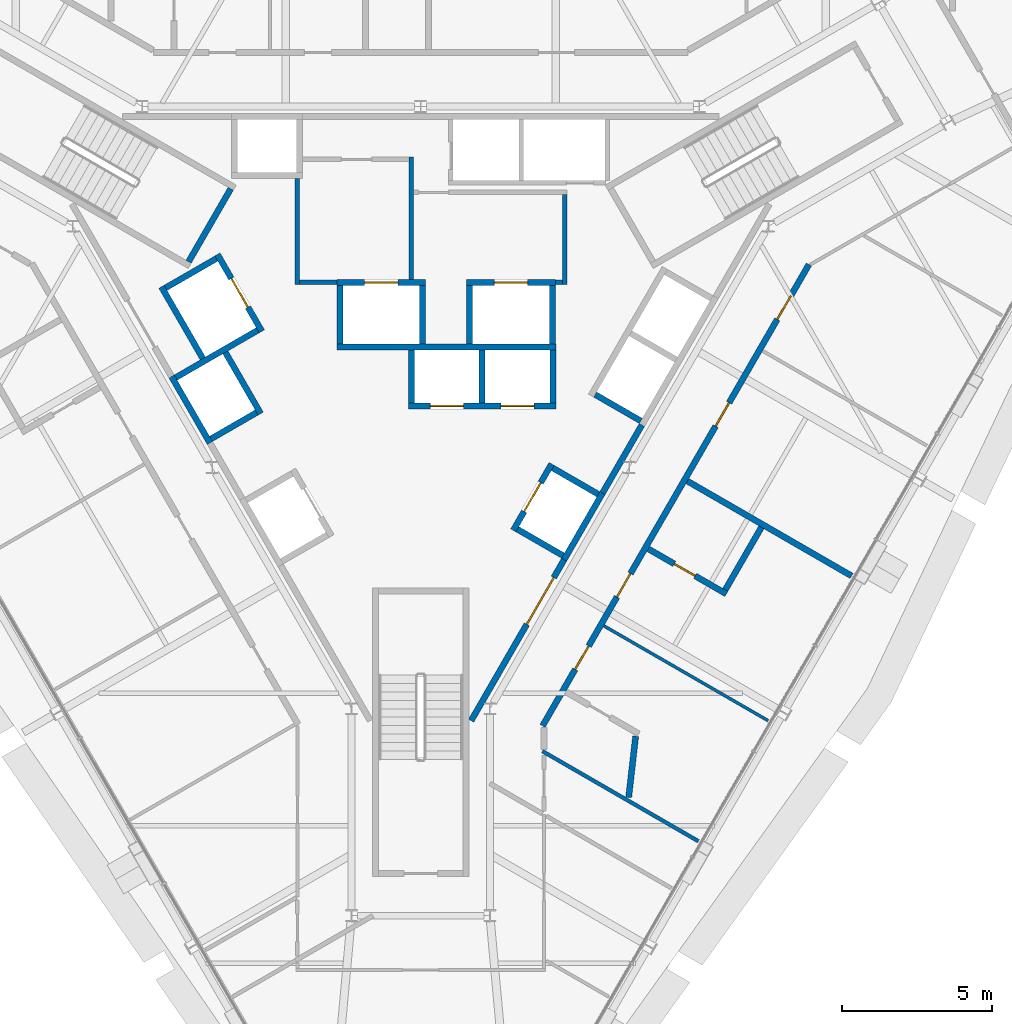
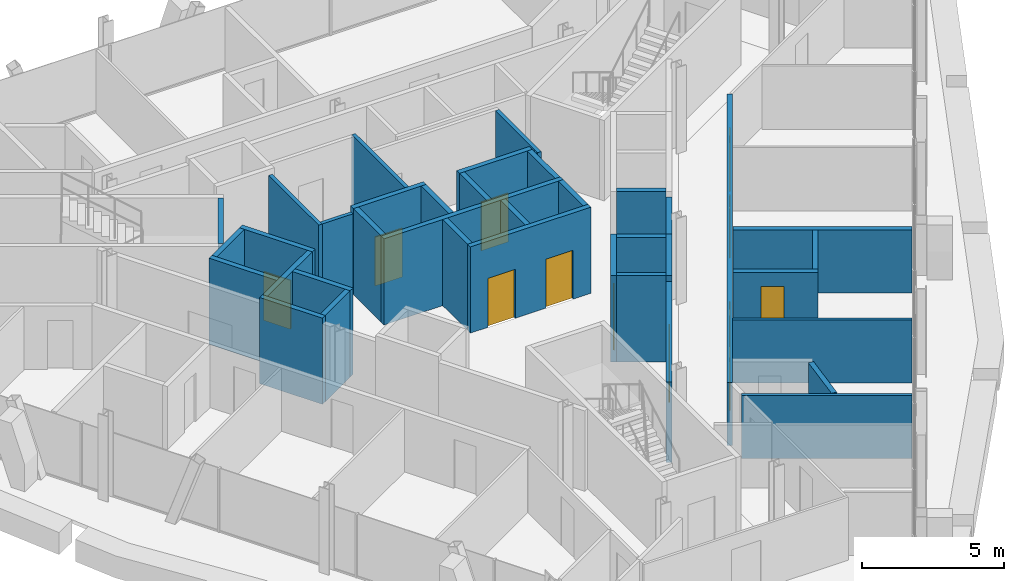
# One storey, part 12 of 16: 38 walls, 12 doors, 12 openings.
"""IFC4 building model written with IfcOpenShell, lengths in metres."""

from ifc_helpers import new_model, si_unit, direction, frame, frame_2d, origin, place, context, subcontext, project, spatial, rectangle, extrude, material, layer, layer_set, type_object, element, fill, save


model = new_model("IFC4")

# Units and contexts
model_context = context("Model", 3, precision=1e-05, world=origin(), true_north=direction((0.0, 1.0)))
body_context = subcontext(model_context, "Body", "Model", "MODEL_VIEW")
ifc_project = project(units=[si_unit("LENGTHUNIT", "METRE"), si_unit("AREAUNIT", "SQUARE_METRE"), si_unit("VOLUMEUNIT", "CUBIC_METRE"), si_unit("PLANEANGLEUNIT", "RADIAN"), si_unit("MASSUNIT", "GRAM", prefix="KILO")], contexts=[model_context])

# Site, building, storey
site_placement = place(None, origin())
site = spatial("IfcSite", under=ifc_project, at=site_placement, CompositionType="ELEMENT")
building_placement = place(site_placement, origin())
building = spatial("IfcBuilding", under=site, at=building_placement, Name="Verrane Prism Tower", CompositionType="ELEMENT")
storey_placement = place(building_placement, frame((0.0, 0.0, 239.699951171875)))
storey = spatial("IfcBuildingStorey", under=building, at=storey_placement, Name="L60", CompositionType="ELEMENT", Elevation=239.699951171875)

# Wall, opening, door
ifc_material_1 = material(Name="Gypsum board partition", Category="other")
ifc_layer_1 = layer(ifc_material_1, 0.199951171875)
ifc_layer_set_1 = layer_set([ifc_layer_1], Name="CW-200 core boundary wall 2 h")
wall_type_1 = type_object("IfcWallType", Name="CW-200 core boundary wall 2 h", PredefinedType="PARTITIONING", material=ifc_layer_set_1)
wall_1_placement = place(storey_placement, frame((1.677490234375, -12.414794921875, 0.0), z_axis=(0.0, 0.0, 1.0), x_axis=(0.500054337157, 0.865994029939, 0.0)))
wall_1 = element("IfcWall", 1, at=wall_1_placement, inside=storey, type_object=wall_type_1, Name="Core boundary wall CW3-006", PredefinedType="PARTITIONING", context=body_context, shape_type="SweptSolid", body=[
    extrude(rectangle(XDim=6.176513671875, YDim=0.199951171875, at=frame_2d((3.08837890625, 0.0))), origin(), (0.0, 0.0, 1.0), 3.449951171875),
])
opening_1_placement = place(wall_1_placement, frame((3.695068359375, 0.0, 0.0)))
opening_1 = element("IfcOpeningElement", 2, at=opening_1_placement, cuts=wall_1, Name="Opening D59515", PredefinedType="OPENING", context=body_context, shape_type="SweptSolid", body=[
    extrude(rectangle(XDim=1.800048828125, YDim=2.10009765625, at=frame_2d((0.89990234375, 1.050048828125))), frame((0.0, 0.10986328125, 0.0), z_axis=(0.0, -1.0, 0.0), x_axis=(1.0, 0.0, 0.0)), (0.0, 0.0, 1.0), 0.219970703125),
])
ifc_material_2 = material(Name="Timber veneered door leaf", Category="wood")
door_type_1 = type_object("IfcDoorType", Name="DR-1800x2100 FD60 double leaf lift lobby", OperationType="NOTDEFINED", PredefinedType="DOOR", material=ifc_material_2)
door_1_placement = place(opening_1_placement, origin())
door_1 = element("IfcDoor", 3, at=door_1_placement, inside=storey, type_object=door_type_1, Name="Lift lobby door D59515", OperationType="DOUBLE_DOOR_SINGLE_SWING", OverallHeight=2.10009765625, OverallWidth=1.800048828125, PredefinedType="DOOR", context=body_context, shape_type="SweptSolid", body=[
    extrude(rectangle(XDim=1.800048828125, YDim=2.10009765625, at=frame_2d((0.89990234375, 1.050048828125))), frame((0.0, 0.02490234375, 0.0), z_axis=(0.0, -1.0, 0.0), x_axis=(1.0, 0.0, 0.0)), (0.0, 0.0, 1.0), 0.050048828125),
])
fill(opening_1, door_1)

# Walls
wall_2_placement = place(storey_placement, frame((6.0419921875, -4.85498046875, 0.0), z_axis=(0.0, 0.0, 1.0), x_axis=(0.500252727967, 0.865879442048, 0.0)))
element("IfcWall", 4, at=wall_2_placement, inside=storey, type_object=wall_type_1, Name="Core boundary wall CW3-007", PredefinedType="PARTITIONING", context=body_context, shape_type="SweptSolid", body=[
    extrude(rectangle(XDim=2.616943359375, YDim=0.199951171875, at=frame_2d((1.30859375, 0.0))), origin(), (0.0, 0.0, 1.0), 3.449951171875),
])
ifc_material_3 = material(Name="Concrete C40/50", Category="concrete")
ifc_layer_2 = layer(ifc_material_3, 0.199951171875)
ifc_layer_set_2 = layer_set([ifc_layer_2], Name="CW-200 stair core wall concrete C40/50 3 h")
wall_type_2 = type_object("IfcWallType", Name="CW-200 stair core wall concrete C40/50 3 h", PredefinedType="PARTITIONING", material=ifc_layer_set_2)
wall_3_placement = place(storey_placement, frame((-6.314697265625, 5.262451171875, 0.0), z_axis=(0.0, 0.0, 1.0), x_axis=(-0.500049511043, -0.865996816683, 0.0)))
element("IfcWall", 5, at=wall_3_placement, inside=storey, type_object=wall_type_2, Name="Stair 2 enclosure wall", PredefinedType="PARTITIONING", context=body_context, shape_type="SweptSolid", body=[
    extrude(rectangle(XDim=2.800048828125, YDim=0.199951171875, at=frame_2d((1.39990234375, 0.0))), origin(), (0.0, 0.0, 1.0), 3.449951171875),
])

# Wall, openings, doors
ifc_material_4 = material(Name="Gypsum board shaft wall assembly", Category="other")
ifc_layer_3 = layer(ifc_material_4, 0.199951171875)
ifc_layer_set_3 = layer_set([ifc_layer_3], Name="HW-200 lift shaft wall 2 h")
wall_type_3 = type_object("IfcWallType", Name="HW-200 lift shaft wall 2 h", PredefinedType="PARTITIONING", material=ifc_layer_set_3)
wall_4_placement = place(storey_placement, frame((-0.405029296875, -1.949951171875, 0.0), z_axis=(0.0, 0.0, 1.0), x_axis=(1.0, 0.0, 0.0)))
wall_4 = element("IfcWall", 6, at=wall_4_placement, inside=storey, type_object=wall_type_3, Name="Lift shaft wall", PredefinedType="PARTITIONING", context=body_context, shape_type="SweptSolid", body=[
    extrude(rectangle(XDim=4.900146484375, YDim=0.199951171875, at=frame_2d((2.4501953125, 0.0))), origin(), (0.0, 0.0, 1.0), 3.699951171875),
])
opening_2_placement = place(wall_4_placement, frame((0.72509765625, 0.0, 0.0)))
opening_2 = element("IfcOpeningElement", 7, at=opening_2_placement, cuts=wall_4, Name="Opening D59503", PredefinedType="OPENING", context=body_context, shape_type="SweptSolid", body=[
    extrude(rectangle(XDim=1.10009765625, YDim=2.10009765625, at=frame_2d((0.550048828125, 1.050048828125))), frame((0.0, 0.10986328125, 0.0), z_axis=(0.0, -1.0, 0.0), x_axis=(1.0, 0.0, 0.0)), (0.0, 0.0, 1.0), 0.219970703125),
])
opening_3_placement = place(wall_4_placement, frame((3.074951171875, 0.0, 0.0)))
opening_3 = element("IfcOpeningElement", 8, at=opening_3_placement, cuts=wall_4, Name="Opening D59504", PredefinedType="OPENING", context=body_context, shape_type="SweptSolid", body=[
    extrude(rectangle(XDim=1.10009765625, YDim=2.10009765625, at=frame_2d((0.550048828125, 1.050048828125))), frame((0.0, 0.10986328125, 0.0), z_axis=(0.0, -1.0, 0.0), x_axis=(1.0, 0.0, 0.0)), (0.0, 0.0, 1.0), 0.219970703125),
])
ifc_material_5 = material(Name="Stainless steel sliding landing door", Category="steel")
door_type_2 = type_object("IfcDoorType", Name="LD-1100x2100 lift landing door FD90 sliding", OperationType="NOTDEFINED", PredefinedType="DOOR", material=ifc_material_5)
door_2_placement = place(opening_2_placement, origin())
door_2 = element("IfcDoor", 9, at=door_2_placement, inside=storey, type_object=door_type_2, Name="Bank B lift 1 landing door", OperationType="SLIDING_TO_LEFT", OverallHeight=2.10009765625, OverallWidth=1.10009765625, PredefinedType="DOOR", context=body_context, shape_type="SweptSolid", body=[
    extrude(rectangle(XDim=1.10009765625, YDim=2.10009765625, at=frame_2d((0.550048828125, 1.050048828125))), frame((0.0, 0.02490234375, 0.0), z_axis=(0.0, -1.0, 0.0), x_axis=(1.0, 0.0, 0.0)), (0.0, 0.0, 1.0), 0.050048828125),
])
fill(opening_2, door_2)
door_3_placement = place(opening_3_placement, origin())
door_3 = element("IfcDoor", 10, at=door_3_placement, inside=storey, type_object=door_type_2, Name="Bank B lift 2 landing door", OperationType="SLIDING_TO_RIGHT", OverallHeight=2.10009765625, OverallWidth=1.10009765625, PredefinedType="DOOR", context=body_context, shape_type="SweptSolid", body=[
    extrude(rectangle(XDim=1.10009765625, YDim=2.10009765625, at=frame_2d((0.550048828125, 1.050048828125))), frame((0.0, 0.02490234375, 0.0), z_axis=(0.0, -1.0, 0.0), x_axis=(1.0, 0.0, 0.0)), (0.0, 0.0, 1.0), 0.050048828125),
])
fill(opening_3, door_3)

# Wall
wall_5_placement = place(storey_placement, frame((-2.784912109375, 0.0, 0.0), z_axis=(0.0, 0.0, 1.0), x_axis=(1.0, 0.0, 0.0)))
element("IfcWall", 11, at=wall_5_placement, inside=storey, type_object=wall_type_3, Name="Lift shaft wall", PredefinedType="PARTITIONING", context=body_context, shape_type="SweptSolid", body=[
    extrude(rectangle(XDim=7.280029296875, YDim=0.199951171875, at=frame_2d((3.64013671875, 0.0))), origin(), (0.0, 0.0, 1.0), 3.699951171875),
])

# Wall, opening, door
wall_6_placement = place(storey_placement, frame((-2.784912109375, 2.14990234375, 0.0), z_axis=(0.0, 0.0, 1.0), x_axis=(1.0, 0.0, 0.0)))
wall_6 = element("IfcWall", 12, at=wall_6_placement, inside=storey, type_object=wall_type_3, Name="Lift shaft wall", PredefinedType="PARTITIONING", context=body_context, shape_type="SweptSolid", body=[
    extrude(rectangle(XDim=2.949951171875, YDim=0.199951171875, at=frame_2d((1.47509765625, 0.0))), origin(), (0.0, 0.0, 1.0), 3.699951171875),
])
opening_4_placement = place(wall_6_placement, frame((0.925048828125, 0.0, 0.0)))
opening_4 = element("IfcOpeningElement", 13, at=opening_4_placement, cuts=wall_6, Name="Opening D59507", PredefinedType="OPENING", context=body_context, shape_type="SweptSolid", body=[
    extrude(rectangle(XDim=1.10009765625, YDim=2.10009765625, at=frame_2d((0.550048828125, 1.050048828125))), frame((0.0, 0.10986328125, 0.0), z_axis=(0.0, -1.0, 0.0), x_axis=(1.0, 0.0, 0.0)), (0.0, 0.0, 1.0), 0.219970703125),
])
door_4_placement = place(opening_4_placement, origin())
door_4 = element("IfcDoor", 14, at=door_4_placement, inside=storey, type_object=door_type_2, Name="Fire service lift 1 landing door", OperationType="SLIDING_TO_LEFT", OverallHeight=2.10009765625, OverallWidth=1.10009765625, PredefinedType="DOOR", context=body_context, shape_type="SweptSolid", body=[
    extrude(rectangle(XDim=1.10009765625, YDim=2.10009765625, at=frame_2d((0.550048828125, 1.050048828125))), frame((0.0, 0.02490234375, 0.0), z_axis=(0.0, -1.0, 0.0), x_axis=(1.0, 0.0, 0.0)), (0.0, 0.0, 1.0), 0.050048828125),
])
fill(opening_4, door_4)

wall_7_placement = place(storey_placement, frame((1.52490234375, 2.14990234375, 0.0), z_axis=(0.0, 0.0, 1.0), x_axis=(1.0, 0.0, 0.0)))
wall_7 = element("IfcWall", 15, at=wall_7_placement, inside=storey, type_object=wall_type_3, Name="Lift shaft wall", PredefinedType="PARTITIONING", context=body_context, shape_type="SweptSolid", body=[
    extrude(rectangle(XDim=2.9501953125, YDim=0.199951171875, at=frame_2d((1.47509765625, 0.0))), origin(), (0.0, 0.0, 1.0), 3.699951171875),
])
opening_5_placement = place(wall_7_placement, frame((0.925048828125, 0.0, 0.0)))
opening_5 = element("IfcOpeningElement", 16, at=opening_5_placement, cuts=wall_7, Name="Opening D59508", PredefinedType="OPENING", context=body_context, shape_type="SweptSolid", body=[
    extrude(rectangle(XDim=1.10009765625, YDim=2.10009765625, at=frame_2d((0.550048828125, 1.050048828125))), frame((0.0, 0.10986328125, 0.0), z_axis=(0.0, -1.0, 0.0), x_axis=(1.0, 0.0, 0.0)), (0.0, 0.0, 1.0), 0.219970703125),
])
door_5_placement = place(opening_5_placement, origin())
door_5 = element("IfcDoor", 17, at=door_5_placement, inside=storey, type_object=door_type_2, Name="Fire service lift 2 landing door", OperationType="SLIDING_TO_RIGHT", OverallHeight=2.10009765625, OverallWidth=1.10009765625, PredefinedType="DOOR", context=body_context, shape_type="SweptSolid", body=[
    extrude(rectangle(XDim=1.10009765625, YDim=2.10009765625, at=frame_2d((0.550048828125, 1.050048828125))), frame((0.0, 0.02490234375, 0.0), z_axis=(0.0, -1.0, 0.0), x_axis=(1.0, 0.0, 0.0)), (0.0, 0.0, 1.0), 0.050048828125),
])
fill(opening_5, door_5)

# Walls
wall_8_placement = place(storey_placement, frame((-6.9697265625, -3.048095703125, 0.0), z_axis=(0.0, 0.0, 1.0), x_axis=(0.866036909293, 0.499980071345, 0.0)))
element("IfcWall", 18, at=wall_8_placement, inside=storey, type_object=wall_type_3, Name="Lift shaft wall", PredefinedType="PARTITIONING", context=body_context, shape_type="SweptSolid", body=[
    extrude(rectangle(XDim=1.75, YDim=0.199951171875, at=frame_2d((0.875, 0.0))), origin(), (0.0, 0.0, 1.0), 3.699951171875),
])
wall_9_placement = place(storey_placement, frame((-8.14453125, -1.012939453125, 0.0), z_axis=(0.0, 0.0, 1.0), x_axis=(0.866016494683, 0.500015430699, 0.0)))
element("IfcWall", 19, at=wall_9_placement, inside=storey, type_object=wall_type_3, Name="Lift shaft wall", PredefinedType="PARTITIONING", context=body_context, shape_type="SweptSolid", body=[
    extrude(rectangle(XDim=3.14990234375, YDim=0.199951171875, at=frame_2d((1.574951171875, 0.0))), origin(), (0.0, 0.0, 1.0), 3.699951171875),
])
wall_10_placement = place(storey_placement, frame((-8.48046875, 1.968505859375, 0.0), z_axis=(0.0, 0.0, 1.0), x_axis=(0.866000020948, 0.500043961785, 0.0)))
element("IfcWall", 20, at=wall_10_placement, inside=storey, type_object=wall_type_3, Name="Lift shaft wall", PredefinedType="PARTITIONING", context=body_context, shape_type="SweptSolid", body=[
    extrude(rectangle(XDim=1.949951171875, YDim=0.199951171875, at=frame_2d((0.97509765625, 0.0))), origin(), (0.0, 0.0, 1.0), 3.699951171875),
])
wall_11_placement = place(storey_placement, frame((4.766357421875, -7.064697265625, 0.0), z_axis=(0.0, 0.0, 1.0), x_axis=(0.499948979701, 0.866054858364, 0.0)))
element("IfcWall", 21, at=wall_11_placement, inside=storey, type_object=wall_type_3, Name="Lift shaft wall", PredefinedType="PARTITIONING", context=body_context, shape_type="SweptSolid", body=[
    extrude(rectangle(XDim=2.550048828125, YDim=0.199951171875, at=frame_2d((1.27490234375, 0.0))), origin(), (0.0, 0.0, 1.0), 3.699951171875),
])

# Wall, opening, door
wall_12_placement = place(storey_placement, frame((3.077392578125, -6.089599609375, 0.0), z_axis=(0.0, 0.0, 1.0), x_axis=(0.500062241894, 0.865989465428, 0.0)))
wall_12 = element("IfcWall", 22, at=wall_12_placement, inside=storey, type_object=wall_type_3, Name="Lift shaft wall", PredefinedType="PARTITIONING", context=body_context, shape_type="SweptSolid", body=[
    extrude(rectangle(XDim=2.550048828125, YDim=0.199951171875, at=frame_2d((1.27490234375, 0.0))), origin(), (0.0, 0.0, 1.0), 3.699951171875),
])
opening_6_placement = place(wall_12_placement, frame((0.72509765625, 0.0, 0.0)))
opening_6 = element("IfcOpeningElement", 23, at=opening_6_placement, cuts=wall_12, Name="Opening D59505", PredefinedType="OPENING", context=body_context, shape_type="SweptSolid", body=[
    extrude(rectangle(XDim=1.10009765625, YDim=2.10009765625, at=frame_2d((0.550048828125, 1.050048828125))), frame((0.0, 0.10986328125, 0.0), z_axis=(0.0, -1.0, 0.0), x_axis=(1.0, 0.0, 0.0)), (0.0, 0.0, 1.0), 0.219970703125),
])
door_6_placement = place(opening_6_placement, origin())
door_6 = element("IfcDoor", 24, at=door_6_placement, inside=storey, type_object=door_type_2, Name="Bank B lift 3 landing door", OperationType="SLIDING_TO_LEFT", OverallHeight=2.10009765625, OverallWidth=1.10009765625, PredefinedType="DOOR", context=body_context, shape_type="SweptSolid", body=[
    extrude(rectangle(XDim=1.10009765625, YDim=2.10009765625, at=frame_2d((0.550048828125, 1.050048828125))), frame((0.0, 0.02490234375, 0.0), z_axis=(0.0, -1.0, 0.0), x_axis=(1.0, 0.0, 0.0)), (0.0, 0.0, 1.0), 0.050048828125),
])
fill(opening_6, door_6)

# Walls
wall_13_placement = place(storey_placement, frame((4.39501953125, -1.85009765625, 0.0), z_axis=(0.0, 0.0, 1.0), x_axis=(0.0, 1.0, 0.0)))
element("IfcWall", 25, at=wall_13_placement, inside=storey, type_object=wall_type_3, Name="Lift shaft wall", PredefinedType="PARTITIONING", context=body_context, shape_type="SweptSolid", body=[
    extrude(rectangle(XDim=1.75, YDim=0.199951171875, at=frame_2d((0.875, 0.0))), origin(), (0.0, 0.0, 1.0), 3.699951171875),
])
wall_14_placement = place(storey_placement, frame((4.375, 0.10009765625, 0.0), z_axis=(0.0, 0.0, 1.0), x_axis=(0.0, 1.0, 0.0)))
element("IfcWall", 26, at=wall_14_placement, inside=storey, type_object=wall_type_3, Name="Lift shaft wall", PredefinedType="PARTITIONING", context=body_context, shape_type="SweptSolid", body=[
    extrude(rectangle(XDim=1.949951171875, YDim=0.199951171875, at=frame_2d((0.97509765625, 0.0))), origin(), (0.0, 0.0, 1.0), 3.699951171875),
])
wall_15_placement = place(storey_placement, frame((2.044921875, -1.85009765625, 0.0), z_axis=(0.0, 0.0, 1.0), x_axis=(0.0, 1.0, 0.0)))
element("IfcWall", 27, at=wall_15_placement, inside=storey, type_object=wall_type_3, Name="Lift shaft wall", PredefinedType="PARTITIONING", context=body_context, shape_type="SweptSolid", body=[
    extrude(rectangle(XDim=1.75, YDim=0.199951171875, at=frame_2d((0.875, 0.0))), origin(), (0.0, 0.0, 1.0), 3.699951171875),
])
for number, where, z_axis, x_axis, name in (
    (28, (1.625, 0.10009765625, 0.0), (0.0, 0.0, 1.0), (0.0, 1.0, 0.0), "Lift shaft wall"),
    (29, (0.06494140625, 0.10009765625, 0.0), (0.0, 0.0, 1.0), (0.0, 1.0, 0.0), "Lift shaft wall"),
):
    element("IfcWall", number, at=place(storey_placement, frame(where, z_axis=z_axis, x_axis=x_axis)), inside=storey, type_object=wall_type_3, Name=name, PredefinedType="PARTITIONING", context=body_context, shape_type="SweptSolid", body=[
        extrude(rectangle(XDim=1.949951171875, YDim=0.199951171875, at=frame_2d((0.97509765625, 0.0))), origin(), (0.0, 0.0, 1.0), 3.699951171875),
    ])
wall_16_placement = place(storey_placement, frame((-0.304931640625, -1.85009765625, 0.0), z_axis=(0.0, 0.0, 1.0), x_axis=(0.0, 1.0, 0.0)))
element("IfcWall", 30, at=wall_16_placement, inside=storey, type_object=wall_type_3, Name="Lift shaft wall", PredefinedType="PARTITIONING", context=body_context, shape_type="SweptSolid", body=[
    extrude(rectangle(XDim=1.75, YDim=0.199951171875, at=frame_2d((0.875, 0.0))), origin(), (0.0, 0.0, 1.0), 3.699951171875),
])
wall_17_placement = place(storey_placement, frame((-2.68505859375, 0.10009765625, 0.0), z_axis=(0.0, 0.0, 1.0), x_axis=(0.0, 1.0, 0.0)))
element("IfcWall", 31, at=wall_17_placement, inside=storey, type_object=wall_type_3, Name="Lift shaft wall", PredefinedType="PARTITIONING", context=body_context, shape_type="SweptSolid", body=[
    extrude(rectangle(XDim=1.949951171875, YDim=0.199951171875, at=frame_2d((0.97509765625, 0.0))), origin(), (0.0, 0.0, 1.0), 3.699951171875),
])

# Wall, opening, door
wall_18_placement = place(storey_placement, frame((-5.280029296875, 0.525390625, 0.0), z_axis=(0.0, 0.0, 1.0), x_axis=(-0.500037662692, 0.866003658127, 0.0)))
wall_18 = element("IfcWall", 32, at=wall_18_placement, inside=storey, type_object=wall_type_3, Name="Lift shaft wall", PredefinedType="PARTITIONING", context=body_context, shape_type="SweptSolid", body=[
    extrude(rectangle(XDim=2.949951171875, YDim=0.199951171875, at=frame_2d((1.47509765625, 0.0))), origin(), (0.0, 0.0, 1.0), 3.699951171875),
])
opening_7_placement = place(wall_18_placement, frame((0.925048828125, 0.0, 0.0)))
opening_7 = element("IfcOpeningElement", 33, at=opening_7_placement, cuts=wall_18, Name="Opening D59509", PredefinedType="OPENING", context=body_context, shape_type="SweptSolid", body=[
    extrude(rectangle(XDim=1.10009765625, YDim=2.10009765625, at=frame_2d((0.550048828125, 1.050048828125))), frame((0.0, 0.10986328125, 0.0), z_axis=(0.0, -1.0, 0.0), x_axis=(1.0, 0.0, 0.0)), (0.0, 0.0, 1.0), 0.219970703125),
])
door_7_placement = place(opening_7_placement, origin())
door_7 = element("IfcDoor", 34, at=door_7_placement, inside=storey, type_object=door_type_2, Name="Service lift 1 landing door", OperationType="SLIDING_TO_LEFT", OverallHeight=2.10009765625, OverallWidth=1.10009765625, PredefinedType="DOOR", context=body_context, shape_type="SweptSolid", body=[
    extrude(rectangle(XDim=1.10009765625, YDim=2.10009765625, at=frame_2d((0.550048828125, 1.050048828125))), frame((0.0, 0.02490234375, 0.0), z_axis=(0.0, -1.0, 0.0), x_axis=(1.0, 0.0, 0.0)), (0.0, 0.0, 1.0), 0.050048828125),
])
fill(opening_7, door_7)

# Walls
wall_19_placement = place(storey_placement, frame((-5.317626953125, -2.209716796875, 0.0), z_axis=(0.0, 0.0, 1.0), x_axis=(-0.499938297808, 0.866061024631, 0.0)))
element("IfcWall", 35, at=wall_19_placement, inside=storey, type_object=wall_type_3, Name="Lift shaft wall", PredefinedType="PARTITIONING", context=body_context, shape_type="SweptSolid", body=[
    extrude(rectangle(XDim=2.349853515625, YDim=0.199951171875, at=frame_2d((1.1748046875, 0.0))), origin(), (0.0, 0.0, 1.0), 3.699951171875),
])
wall_20_placement = place(storey_placement, frame((-7.241943359375, -0.37646484375, 0.0), z_axis=(0.0, 0.0, 1.0), x_axis=(-0.499996545922, 0.866027397988, 0.0)))
element("IfcWall", 36, at=wall_20_placement, inside=storey, type_object=wall_type_3, Name="Lift shaft wall", PredefinedType="PARTITIONING", context=body_context, shape_type="SweptSolid", body=[
    extrude(rectangle(XDim=2.75, YDim=0.199951171875, at=frame_2d((1.375, 0.0))), origin(), (0.0, 0.0, 1.0), 3.699951171875),
])
wall_21_placement = place(storey_placement, frame((-7.00634765625, -3.184814453125, 0.0), z_axis=(0.0, 0.0, 1.0), x_axis=(-0.499990435942, 0.866030925526, 0.0)))
element("IfcWall", 37, at=wall_21_placement, inside=storey, type_object=wall_type_3, Name="Lift shaft wall", PredefinedType="PARTITIONING", context=body_context, shape_type="SweptSolid", body=[
    extrude(rectangle(XDim=2.5498046875, YDim=0.199951171875, at=frame_2d((1.27490234375, 0.0))), origin(), (0.0, 0.0, 1.0), 3.699951171875),
])
wall_22_placement = place(storey_placement, frame((7.314697265625, -2.45068359375, 0.0), z_axis=(0.0, 0.0, 1.0), x_axis=(-0.866036909293, 0.499980071345, 0.0)))
element("IfcWall", 38, at=wall_22_placement, inside=storey, type_object=wall_type_3, Name="Lift shaft wall", PredefinedType="PARTITIONING", context=body_context, shape_type="SweptSolid", body=[
    extrude(rectangle(XDim=1.75, YDim=0.199951171875, at=frame_2d((0.875, 0.0))), origin(), (0.0, 0.0, 1.0), 3.699951171875),
])
wall_23_placement = place(storey_placement, frame((5.904541015625, -4.892822265625, 0.0), z_axis=(0.0, 0.0, 1.0), x_axis=(-0.866002029911, 0.500040482552, 0.0)))
element("IfcWall", 39, at=wall_23_placement, inside=storey, type_object=wall_type_3, Name="Lift shaft wall", PredefinedType="PARTITIONING", context=body_context, shape_type="SweptSolid", body=[
    extrude(rectangle(XDim=1.749755859375, YDim=0.199951171875, at=frame_2d((0.875, 0.0))), origin(), (0.0, 0.0, 1.0), 3.699951171875),
])
wall_24_placement = place(storey_placement, frame((4.729736328125, -6.927978515625, 0.0), z_axis=(0.0, 0.0, 1.0), x_axis=(-0.866036909293, 0.499980071345, 0.0)))
element("IfcWall", 40, at=wall_24_placement, inside=storey, type_object=wall_type_3, Name="Lift shaft wall", PredefinedType="PARTITIONING", context=body_context, shape_type="SweptSolid", body=[
    extrude(rectangle(XDim=1.75, YDim=0.199951171875, at=frame_2d((0.875, 0.0))), origin(), (0.0, 0.0, 1.0), 3.699951171875),
])
ifc_material_6 = material(Name="Gypsum board partition", Category="other")
ifc_layer_4 = layer(ifc_material_6, 0.14990234375)
ifc_layer_set_4 = layer_set([ifc_layer_4], Name="LF-150 firefighting lobby wall 1 h")
wall_type_4 = type_object("IfcWallType", Name="LF-150 firefighting lobby wall 1 h", PredefinedType="PARTITIONING", material=ifc_layer_set_4)
wall_25_placement = place(storey_placement, frame((-4.10009765625, 2.0849609375, 0.0), z_axis=(0.0, 0.0, 1.0), x_axis=(0.0, 1.0, 0.0)))
element("IfcWall", 41, at=wall_25_placement, inside=storey, type_object=wall_type_4, Name="Firefighting lobby wall LF1-001", PredefinedType="PARTITIONING", context=body_context, shape_type="SweptSolid", body=[
    extrude(rectangle(XDim=3.52294921875, YDim=0.14990234375, at=frame_2d((1.761474609375, 0.0))), origin(), (0.0, 0.0, 1.0), 3.449951171875),
])
wall_26_placement = place(storey_placement, frame((-4.02490234375, 2.159912109375, 0.0), z_axis=(0.0, 0.0, 1.0), x_axis=(1.0, 0.0, 0.0)))
element("IfcWall", 42, at=wall_26_placement, inside=storey, type_object=wall_type_4, Name="Firefighting lobby wall LF1-002", PredefinedType="PARTITIONING", context=body_context, shape_type="SweptSolid", body=[
    extrude(rectangle(XDim=1.23779296875, YDim=0.14990234375, at=frame_2d((0.618896484375, 0.0))), origin(), (0.0, 0.0, 1.0), 3.449951171875),
])
wall_27_placement = place(storey_placement, frame((-0.320068359375, 2.251953125, 0.0), z_axis=(0.0, 0.0, 1.0), x_axis=(0.0, 1.0, 0.0)))
element("IfcWall", 43, at=wall_27_placement, inside=storey, type_object=wall_type_4, Name="Firefighting lobby wall LF1-004", PredefinedType="PARTITIONING", context=body_context, shape_type="SweptSolid", body=[
    extrude(rectangle(XDim=4.06298828125, YDim=0.14990234375, at=frame_2d((2.031494140625, 0.0))), origin(), (0.0, 0.0, 1.0), 3.449951171875),
])
wall_28_placement = place(storey_placement, frame((4.47705078125, 2.159912109375, 0.0), z_axis=(0.0, 0.0, 1.0), x_axis=(1.0, 0.0, 0.0)))
element("IfcWall", 44, at=wall_28_placement, inside=storey, type_object=wall_type_4, Name="Firefighting lobby wall LF1-006", PredefinedType="PARTITIONING", context=body_context, shape_type="SweptSolid", body=[
    extrude(rectangle(XDim=0.238037109375, YDim=0.14990234375, at=frame_2d((0.119140625, 0.0))), origin(), (0.0, 0.0, 1.0), 3.449951171875),
])
wall_29_placement = place(storey_placement, frame((4.7900390625, 2.0849609375, 0.0), z_axis=(0.0, 0.0, 1.0), x_axis=(0.0, 1.0, 0.0)))
element("IfcWall", 45, at=wall_29_placement, inside=storey, type_object=wall_type_4, Name="Firefighting lobby wall LF1-007", PredefinedType="PARTITIONING", context=body_context, shape_type="SweptSolid", body=[
    extrude(rectangle(XDim=2.97998046875, YDim=0.14990234375, at=frame_2d((1.489990234375, 0.0))), origin(), (0.0, 0.0, 1.0), 3.449951171875),
])
ifc_material_7 = material(Name="Gypsum board partition", Category="other")
ifc_layer_5 = layer(ifc_material_7, 0.10009765625)
ifc_layer_set_5 = layer_set([ifc_layer_5], Name="PW-100 room partition")
wall_type_5 = type_object("IfcWallType", Name="PW-100 room partition", PredefinedType="PARTITIONING", material=ifc_layer_set_5)
wall_30_placement = place(storey_placement, frame((6.085693359375, -9.262939453125, 0.0), z_axis=(0.0, 0.0, 1.0), x_axis=(0.866070792983, -0.499921375361, 0.0)))
element("IfcWall", 46, at=wall_30_placement, inside=storey, type_object=wall_type_5, Name="Room partition 042", PredefinedType="PARTITIONING", context=body_context, shape_type="SweptSolid", body=[
    extrude(rectangle(XDim=6.3037109375, YDim=0.10009765625, at=frame_2d((3.15185546875, 0.0))), origin(), (0.0, 0.0, 1.0), 2.713134765625),
])
ifc_material_8 = material(Name="Gypsum board partition", Category="other")
ifc_layer_6 = layer(ifc_material_8, 0.125)
ifc_layer_set_6 = layer_set([ifc_layer_6], Name="PW-125 corridor wall 1 h")
wall_type_6 = type_object("IfcWallType", Name="PW-125 corridor wall 1 h", PredefinedType="PARTITIONING", material=ifc_layer_set_6)
wall_31_placement = place(storey_placement, frame((4.0458984375, -13.4296875, 0.0), z_axis=(0.0, 0.0, 1.0), x_axis=(0.866028717572, -0.499994260308, 0.0)))
element("IfcWall", 47, at=wall_31_placement, inside=storey, type_object=wall_type_6, Name="Corridor wall 039", PredefinedType="PARTITIONING", context=body_context, shape_type="SweptSolid", body=[
    extrude(rectangle(XDim=5.98681640625, YDim=0.125, at=frame_2d((2.993408203125, 0.0))), origin(), (0.0, 0.0, 1.0), 2.713134765625),
])

# Wall, openings, doors
ifc_material_9 = material(Name="Gypsum board partition", Category="other")
ifc_layer_7 = layer(ifc_material_9, 0.199951171875)
ifc_layer_set_7 = layer_set([ifc_layer_7], Name="PW-200 plumbing wall")
wall_type_7 = type_object("IfcWallType", Name="PW-200 plumbing wall", PredefinedType="PARTITIONING", material=ifc_layer_set_7)
wall_32_placement = place(storey_placement, frame((12.903076171875, 2.745361328125, 0.0), z_axis=(0.0, 0.0, 1.0), x_axis=(-0.499997769292, -0.86602669168, 0.0)))
wall_32 = element("IfcWall", 48, at=wall_32_placement, inside=storey, type_object=wall_type_7, Name="Plumbing wall 040", PredefinedType="PARTITIONING", context=body_context, shape_type="SweptSolid", body=[
    extrude(rectangle(XDim=17.7060546875, YDim=0.199951171875, at=frame_2d((8.85302734375, 0.0))), origin(), (0.0, 0.0, 1.0), 2.713134765625),
])
opening_8_placement = place(wall_32_placement, frame((14.636962890625, 0.0, 0.0)))
opening_8 = element("IfcOpeningElement", 49, at=opening_8_placement, cuts=wall_32, Name="Opening D59022", PredefinedType="OPENING", context=body_context, shape_type="SweptSolid", body=[
    extrude(rectangle(XDim=0.89990234375, YDim=2.10009765625, at=frame_2d((0.449951171875, 1.050048828125))), frame((0.0, 0.10986328125, 0.0), z_axis=(0.0, -1.0, 0.0), x_axis=(1.0, 0.0, 0.0)), (0.0, 0.0, 1.0), 0.219970703125),
])
opening_9_placement = place(wall_32_placement, frame((11.858154296875, 0.0, 0.0)))
opening_9 = element("IfcOpeningElement", 50, at=opening_9_placement, cuts=wall_32, Name="Opening D59024", PredefinedType="OPENING", context=body_context, shape_type="SweptSolid", body=[
    extrude(rectangle(XDim=0.89990234375, YDim=2.10009765625, at=frame_2d((0.449951171875, 1.050048828125))), frame((0.0, 0.10986328125, 0.0), z_axis=(0.0, -1.0, 0.0), x_axis=(1.0, 0.0, 0.0)), (0.0, 0.0, 1.0), 0.219970703125),
])
opening_10_placement = place(wall_32_placement, frame((5.302978515625, 0.0, 0.0)))
opening_10 = element("IfcOpeningElement", 51, at=opening_10_placement, cuts=wall_32, Name="Opening D59026", PredefinedType="OPENING", context=body_context, shape_type="SweptSolid", body=[
    extrude(rectangle(XDim=0.89990234375, YDim=2.10009765625, at=frame_2d((0.449951171875, 1.050048828125))), frame((0.0, 0.10986328125, 0.0), z_axis=(0.0, -1.0, 0.0), x_axis=(1.0, 0.0, 0.0)), (0.0, 0.0, 1.0), 0.219970703125),
])
opening_11_placement = place(wall_32_placement, frame((1.2041015625, 0.0, 0.0)))
opening_11 = element("IfcOpeningElement", 52, at=opening_11_placement, cuts=wall_32, Name="Opening D59027", PredefinedType="OPENING", context=body_context, shape_type="SweptSolid", body=[
    extrude(rectangle(XDim=0.89990234375, YDim=2.10009765625, at=frame_2d((0.449951171875, 1.050048828125))), frame((0.0, 0.10986328125, 0.0), z_axis=(0.0, -1.0, 0.0), x_axis=(1.0, 0.0, 0.0)), (0.0, 0.0, 1.0), 0.219970703125),
])
ifc_material_10 = material(Name="Timber veneered door leaf", Category="wood")
door_type_3 = type_object("IfcDoorType", Name="DR-900x2100 single leaf inner", OperationType="NOTDEFINED", PredefinedType="DOOR", material=ifc_material_10)
door_8_placement = place(opening_8_placement, origin())
door_8 = element("IfcDoor", 53, at=door_8_placement, inside=storey, type_object=door_type_3, Name="Bedroom door", OperationType="SINGLE_SWING_LEFT", OverallHeight=2.10009765625, OverallWidth=0.89990234375, PredefinedType="DOOR", context=body_context, shape_type="SweptSolid", body=[
    extrude(rectangle(XDim=0.89990234375, YDim=2.10009765625, at=frame_2d((0.449951171875, 1.050048828125))), frame((0.0, 0.02490234375, 0.0), z_axis=(0.0, -1.0, 0.0), x_axis=(1.0, 0.0, 0.0)), (0.0, 0.0, 1.0), 0.050048828125),
])
fill(opening_8, door_8)
door_9_placement = place(opening_9_placement, origin())
door_9 = element("IfcDoor", 54, at=door_9_placement, inside=storey, type_object=door_type_3, Name="Master Bedroom door", OperationType="SINGLE_SWING_LEFT", OverallHeight=2.10009765625, OverallWidth=0.89990234375, PredefinedType="DOOR", context=body_context, shape_type="SweptSolid", body=[
    extrude(rectangle(XDim=0.89990234375, YDim=2.10009765625, at=frame_2d((0.449951171875, 1.050048828125))), frame((0.0, 0.02490234375, 0.0), z_axis=(0.0, -1.0, 0.0), x_axis=(1.0, 0.0, 0.0)), (0.0, 0.0, 1.0), 0.050048828125),
])
fill(opening_9, door_9)
ifc_material_11 = material(Name="Timber veneered door leaf", Category="wood")
door_type_4 = type_object("IfcDoorType", Name="DR-900x2100 single leaf unit", OperationType="NOTDEFINED", PredefinedType="DOOR", material=ifc_material_11)
door_10_placement = place(opening_10_placement, origin())
door_10 = element("IfcDoor", 55, at=door_10_placement, inside=storey, type_object=door_type_4, Name="Study door", OperationType="SINGLE_SWING_LEFT", OverallHeight=2.10009765625, OverallWidth=0.89990234375, PredefinedType="DOOR", context=body_context, shape_type="SweptSolid", body=[
    extrude(rectangle(XDim=0.89990234375, YDim=2.10009765625, at=frame_2d((0.449951171875, 1.050048828125))), frame((0.0, 0.02490234375, 0.0), z_axis=(0.0, -1.0, 0.0), x_axis=(1.0, 0.0, 0.0)), (0.0, 0.0, 1.0), 0.050048828125),
])
fill(opening_10, door_10)
door_11_placement = place(opening_11_placement, origin())
door_11 = element("IfcDoor", 56, at=door_11_placement, inside=storey, type_object=door_type_4, Name="Study door", OperationType="SINGLE_SWING_RIGHT", OverallHeight=2.10009765625, OverallWidth=0.89990234375, PredefinedType="DOOR", context=body_context, shape_type="SweptSolid", body=[
    extrude(rectangle(XDim=0.89990234375, YDim=2.10009765625, at=frame_2d((0.449951171875, 1.050048828125))), frame((0.0, 0.02490234375, 0.0), z_axis=(0.0, -1.0, 0.0), x_axis=(1.0, 0.0, 0.0)), (0.0, 0.0, 1.0), 0.050048828125),
])
fill(opening_11, door_11)

# Wall
wall_33_placement = place(storey_placement, frame((6.91259765625, -14.966064453125, 0.0), z_axis=(0.0, 0.0, 1.0), x_axis=(0.113650855348, 0.993520751207, 0.0)))
element("IfcWall", 57, at=wall_33_placement, inside=storey, type_object=wall_type_7, Name="Plumbing wall 043", PredefinedType="PARTITIONING", context=body_context, shape_type="SweptSolid", body=[
    extrude(rectangle(XDim=2.047119140625, YDim=0.199951171875, at=frame_2d((1.0234375, 0.0))), origin(), (0.0, 0.0, 1.0), 2.713134765625),
])

# Wall, opening, door
wall_34_placement = place(storey_placement, frame((7.56689453125, -6.70654296875, 0.0), z_axis=(0.0, 0.0, 1.0), x_axis=(0.86601725921, -0.500014106551, 0.0)))
wall_34 = element("IfcWall", 58, at=wall_34_placement, inside=storey, type_object=wall_type_7, Name="Plumbing wall 044", PredefinedType="PARTITIONING", context=body_context, shape_type="SweptSolid", body=[
    extrude(rectangle(XDim=2.9951171875, YDim=0.199951171875, at=frame_2d((1.49755859375, 0.0))), origin(), (0.0, 0.0, 1.0), 2.713134765625),
])
opening_12_placement = place(wall_34_placement, frame((0.9951171875, 0.0, 0.0)))
opening_12 = element("IfcOpeningElement", 59, at=opening_12_placement, cuts=wall_34, Name="Opening D59025", PredefinedType="OPENING", context=body_context, shape_type="SweptSolid", body=[
    extrude(rectangle(XDim=0.800048828125, YDim=2.10009765625, at=frame_2d((0.39990234375, 1.050048828125))), frame((0.0, 0.10986328125, 0.0), z_axis=(0.0, -1.0, 0.0), x_axis=(1.0, 0.0, 0.0)), (0.0, 0.0, 1.0), 0.219970703125),
])
ifc_material_12 = material(Name="Timber veneered door leaf", Category="wood")
door_type_5 = type_object("IfcDoorType", Name="DR-800x2100 single leaf bath", OperationType="NOTDEFINED", PredefinedType="DOOR", material=ifc_material_12)
door_12_placement = place(opening_12_placement, origin())
door_12 = element("IfcDoor", 60, at=door_12_placement, inside=storey, type_object=door_type_5, Name="Master Bathroom door", OperationType="SINGLE_SWING_LEFT", OverallHeight=2.10009765625, OverallWidth=0.800048828125, PredefinedType="DOOR", context=body_context, shape_type="SweptSolid", body=[
    extrude(rectangle(XDim=0.800048828125, YDim=2.10009765625, at=frame_2d((0.39990234375, 1.050048828125))), frame((0.0, 0.02490234375, 0.0), z_axis=(0.0, -1.0, 0.0), x_axis=(1.0, 0.0, 0.0)), (0.0, 0.0, 1.0), 0.050048828125),
])
fill(opening_12, door_12)

# Walls
wall_35_placement = place(storey_placement, frame((8.866943359375, -4.45458984375, 0.0), z_axis=(0.0, 0.0, 1.0), x_axis=(0.866023587353, -0.500003146138, 0.0)))
element("IfcWall", 61, at=wall_35_placement, inside=storey, type_object=wall_type_7, Name="Plumbing wall 045", PredefinedType="PARTITIONING", context=body_context, shape_type="SweptSolid", body=[
    extrude(rectangle(XDim=6.29931640625, YDim=0.199951171875, at=frame_2d((3.149658203125, 0.0))), origin(), (0.0, 0.0, 1.0), 2.713134765625),
])
wall_36_placement = place(storey_placement, frame((10.1240234375, -8.0673828125, 0.0), z_axis=(0.0, 0.0, 1.0), x_axis=(0.499913221443, 0.866075499611, 0.0)))
element("IfcWall", 62, at=wall_36_placement, inside=storey, type_object=wall_type_7, Name="Plumbing wall 047", PredefinedType="PARTITIONING", context=body_context, shape_type="SweptSolid", body=[
    extrude(rectangle(XDim=2.400390625, YDim=0.199951171875, at=frame_2d((1.2001953125, 0.0))), origin(), (0.0, 0.0, 1.0), 2.713134765625),
])

save(model, "model.ifc")
